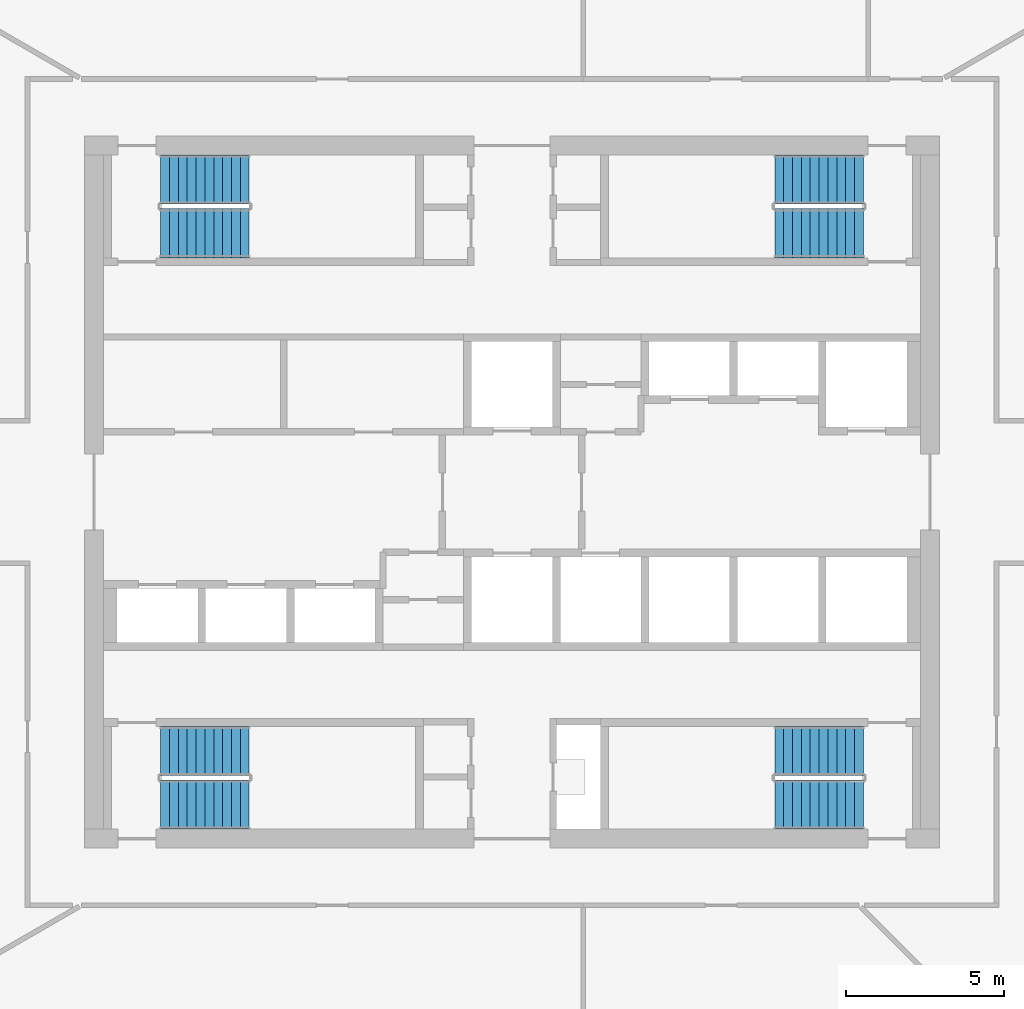
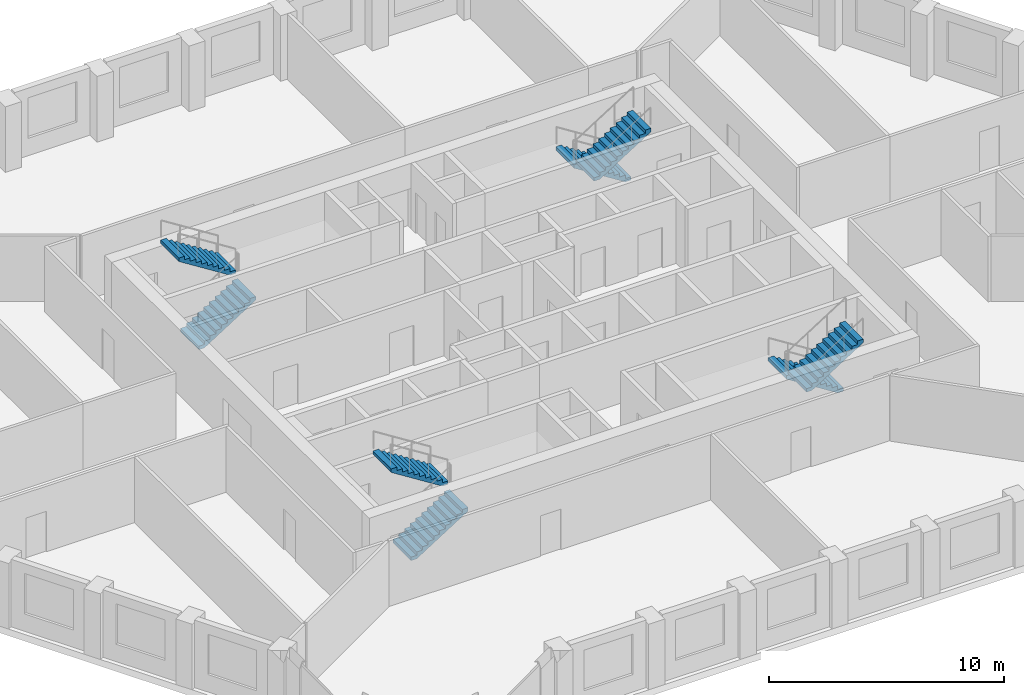
# One storey, part 7 of 8: 8 stair flights, 4 elements without a shape of their own.
"""IFC4 building model written with IfcOpenShell, lengths in metres."""

from ifc_helpers import new_model, si_unit, direction, frame, origin, place, context, subcontext, project, spatial, polyline, outline, extrude, material, type_object, element, aggregate, save


model = new_model("IFC4")

# Units and contexts
model_context = context("Model", 3, precision=1e-05, world=origin(), true_north=direction((0.0, 1.0)))
body_context = subcontext(model_context, "Body", "Model", "MODEL_VIEW")
ifc_project = project(units=[si_unit("LENGTHUNIT", "METRE"), si_unit("AREAUNIT", "SQUARE_METRE"), si_unit("VOLUMEUNIT", "CUBIC_METRE"), si_unit("PLANEANGLEUNIT", "RADIAN"), si_unit("MASSUNIT", "GRAM", prefix="KILO")], contexts=[model_context])

# Site, building, storey
site_placement = place(None, origin())
site = spatial("IfcSite", under=ifc_project, at=site_placement, CompositionType="ELEMENT")
building_placement = place(site_placement, origin())
building = spatial("IfcBuilding", under=site, at=building_placement, Name="Dhurran Vertical Campus", CompositionType="ELEMENT")
storey_placement = place(building_placement, frame((0.0, 0.0, 226.800048828125)))
storey = spatial("IfcBuildingStorey", under=building, at=storey_placement, Name="L56", CompositionType="ELEMENT", Elevation=226.800048828125)

# Stair, stair flights
ifc_material_1 = material(Name="Concrete C40/50", Category="concrete")
stair_type = type_object("IfcStairType", Name="co-ST-CORE", PredefinedType="HALF_TURN_STAIR", material=ifc_material_1)
stair_1_placement = place(storey_placement, origin())
stair_1 = element("IfcStair", 1, at=stair_1_placement, inside=storey, type_object=stair_type, Name="L56 Protected exit stair ST1", PredefinedType="HALF_TURN_STAIR")
ifc_material_2 = material(Name="Concrete C40/50", Category="concrete")
stair_flight_type = type_object("IfcStairFlightType", Name="co-SFL-RC", PredefinedType="STRAIGHT", material=ifc_material_2)
stair_flight_1_placement = place(storey_placement, frame((-11.10009765625, 8.175048828125, 0.0), z_axis=(0.0, 0.0, 1.0), x_axis=(1.0, 0.0, 0.0)))
stair_flight_1 = element("IfcStairFlight", 2, at=stair_flight_1_placement, type_object=stair_flight_type, Name="ST1 flight 1", NumberOfRisers=11, NumberOfTreads=10, PredefinedType="STRAIGHT", RiserHeight=0.177272727, TreadLength=0.28, context=body_context, shape_type="SweptSolid", body=[
    extrude(outline(polyline([(0.0, 0.0), (0.0, 0.17724609375), (0.280029296875, 0.17724609375), (0.280029296875, 0.3544921875), (0.56005859375, 0.3544921875), (0.56005859375, 0.53173828125), (0.840087890625, 0.53173828125), (0.840087890625, 0.708984375), (1.1201171875, 0.708984375), (1.1201171875, 0.886474609375), (1.39990234375, 0.886474609375), (1.39990234375, 1.063720703125), (1.679931640625, 1.063720703125), (1.679931640625, 1.240966796875), (1.9599609375, 1.240966796875), (1.9599609375, 1.418212890625), (2.239990234375, 1.418212890625), (2.239990234375, 1.595458984375), (2.52001953125, 1.595458984375), (2.52001953125, 1.772705078125), (2.800048828125, 1.772705078125), (2.800048828125, 1.949951171875), (2.800048828125, 1.59521484375), (0.2802734375, 0.0), (0.0, 0.0)])), frame((0.0, 0.77490234375, 0.0), z_axis=(0.0, -1.0, 0.0), x_axis=(1.0, 0.0, 0.0)), (0.0, 0.0, 1.0), 1.550048828125),
])
stair_flight_2_placement = place(storey_placement, frame((-8.300048828125, 9.875, 1.949951171875), z_axis=(0.0, 0.0, 1.0), x_axis=(-1.0, 0.0, 0.0)))
stair_flight_2 = element("IfcStairFlight", 3, at=stair_flight_2_placement, type_object=stair_flight_type, Name="ST1 flight 2", NumberOfRisers=11, NumberOfTreads=10, PredefinedType="STRAIGHT", RiserHeight=0.177272727, TreadLength=0.28, context=body_context, shape_type="SweptSolid", body=[
    extrude(outline(polyline([(0.0, 0.0), (0.0, 0.17724609375), (0.280029296875, 0.17724609375), (0.280029296875, 0.3544921875), (0.56005859375, 0.3544921875), (0.56005859375, 0.53173828125), (0.840087890625, 0.53173828125), (0.840087890625, 0.708984375), (1.1201171875, 0.708984375), (1.1201171875, 0.886474609375), (1.39990234375, 0.886474609375), (1.39990234375, 1.063720703125), (1.679931640625, 1.063720703125), (1.679931640625, 1.240966796875), (1.9599609375, 1.240966796875), (1.9599609375, 1.418212890625), (2.239990234375, 1.418212890625), (2.239990234375, 1.595458984375), (2.52001953125, 1.595458984375), (2.52001953125, 1.772705078125), (2.800048828125, 1.772705078125), (2.800048828125, 1.949951171875), (2.800048828125, 1.59521484375), (0.2802734375, 0.0), (0.0, 0.0)])), frame((0.0, 0.77490234375, 0.0), z_axis=(0.0, -1.0, 0.0), x_axis=(1.0, 0.0, 0.0)), (0.0, 0.0, 1.0), 1.550048828125),
])
aggregate(stair_1, [stair_flight_1, stair_flight_2])

stair_2_placement = place(storey_placement, origin())
stair_2 = element("IfcStair", 4, at=stair_2_placement, inside=storey, type_object=stair_type, Name="L56 Protected exit stair ST2", PredefinedType="HALF_TURN_STAIR")
stair_flight_3_placement = place(storey_placement, frame((11.10009765625, 9.875, 0.0), z_axis=(0.0, 0.0, 1.0), x_axis=(-1.0, 0.0, 0.0)))
stair_flight_3 = element("IfcStairFlight", 5, at=stair_flight_3_placement, type_object=stair_flight_type, Name="ST2 flight 1", NumberOfRisers=11, NumberOfTreads=10, PredefinedType="STRAIGHT", RiserHeight=0.177272727, TreadLength=0.28, context=body_context, shape_type="SweptSolid", body=[
    extrude(outline(polyline([(0.0, 0.0), (0.0, 0.17724609375), (0.280029296875, 0.17724609375), (0.280029296875, 0.3544921875), (0.56005859375, 0.3544921875), (0.56005859375, 0.53173828125), (0.840087890625, 0.53173828125), (0.840087890625, 0.708984375), (1.1201171875, 0.708984375), (1.1201171875, 0.886474609375), (1.39990234375, 0.886474609375), (1.39990234375, 1.063720703125), (1.679931640625, 1.063720703125), (1.679931640625, 1.240966796875), (1.9599609375, 1.240966796875), (1.9599609375, 1.418212890625), (2.239990234375, 1.418212890625), (2.239990234375, 1.595458984375), (2.52001953125, 1.595458984375), (2.52001953125, 1.772705078125), (2.800048828125, 1.772705078125), (2.800048828125, 1.949951171875), (2.800048828125, 1.59521484375), (0.2802734375, 0.0), (0.0, 0.0)])), frame((0.0, 0.77490234375, 0.0), z_axis=(0.0, -1.0, 0.0), x_axis=(1.0, 0.0, 0.0)), (0.0, 0.0, 1.0), 1.550048828125),
])
stair_flight_4_placement = place(storey_placement, frame((8.300048828125, 8.175048828125, 1.949951171875), z_axis=(0.0, 0.0, 1.0), x_axis=(1.0, 0.0, 0.0)))
stair_flight_4 = element("IfcStairFlight", 6, at=stair_flight_4_placement, type_object=stair_flight_type, Name="ST2 flight 2", NumberOfRisers=11, NumberOfTreads=10, PredefinedType="STRAIGHT", RiserHeight=0.177272727, TreadLength=0.28, context=body_context, shape_type="SweptSolid", body=[
    extrude(outline(polyline([(0.0, 0.0), (0.0, 0.17724609375), (0.280029296875, 0.17724609375), (0.280029296875, 0.3544921875), (0.56005859375, 0.3544921875), (0.56005859375, 0.53173828125), (0.840087890625, 0.53173828125), (0.840087890625, 0.708984375), (1.1201171875, 0.708984375), (1.1201171875, 0.886474609375), (1.39990234375, 0.886474609375), (1.39990234375, 1.063720703125), (1.679931640625, 1.063720703125), (1.679931640625, 1.240966796875), (1.9599609375, 1.240966796875), (1.9599609375, 1.418212890625), (2.239990234375, 1.418212890625), (2.239990234375, 1.595458984375), (2.52001953125, 1.595458984375), (2.52001953125, 1.772705078125), (2.800048828125, 1.772705078125), (2.800048828125, 1.949951171875), (2.800048828125, 1.59521484375), (0.2802734375, 0.0), (0.0, 0.0)])), frame((0.0, 0.77490234375, 0.0), z_axis=(0.0, -1.0, 0.0), x_axis=(1.0, 0.0, 0.0)), (0.0, 0.0, 1.0), 1.550048828125),
])
aggregate(stair_2, [stair_flight_3, stair_flight_4])

stair_3_placement = place(storey_placement, origin())
stair_3 = element("IfcStair", 7, at=stair_3_placement, inside=storey, type_object=stair_type, Name="L56 Protected exit stair ST3", PredefinedType="HALF_TURN_STAIR")
stair_flight_5_placement = place(storey_placement, frame((-11.10009765625, -9.875, 0.0), z_axis=(0.0, 0.0, 1.0), x_axis=(1.0, 0.0, 0.0)))
stair_flight_5 = element("IfcStairFlight", 8, at=stair_flight_5_placement, type_object=stair_flight_type, Name="ST3 flight 1", NumberOfRisers=11, NumberOfTreads=10, PredefinedType="STRAIGHT", RiserHeight=0.177272727, TreadLength=0.28, context=body_context, shape_type="SweptSolid", body=[
    extrude(outline(polyline([(0.0, 0.0), (0.0, 0.17724609375), (0.280029296875, 0.17724609375), (0.280029296875, 0.3544921875), (0.56005859375, 0.3544921875), (0.56005859375, 0.53173828125), (0.840087890625, 0.53173828125), (0.840087890625, 0.708984375), (1.1201171875, 0.708984375), (1.1201171875, 0.886474609375), (1.39990234375, 0.886474609375), (1.39990234375, 1.063720703125), (1.679931640625, 1.063720703125), (1.679931640625, 1.240966796875), (1.9599609375, 1.240966796875), (1.9599609375, 1.418212890625), (2.239990234375, 1.418212890625), (2.239990234375, 1.595458984375), (2.52001953125, 1.595458984375), (2.52001953125, 1.772705078125), (2.800048828125, 1.772705078125), (2.800048828125, 1.949951171875), (2.800048828125, 1.59521484375), (0.2802734375, 0.0), (0.0, 0.0)])), frame((0.0, 0.77490234375, 0.0), z_axis=(0.0, -1.0, 0.0), x_axis=(1.0, 0.0, 0.0)), (0.0, 0.0, 1.0), 1.550048828125),
])
stair_flight_6_placement = place(storey_placement, frame((-8.300048828125, -8.175048828125, 1.949951171875), z_axis=(0.0, 0.0, 1.0), x_axis=(-1.0, 0.0, 0.0)))
stair_flight_6 = element("IfcStairFlight", 9, at=stair_flight_6_placement, type_object=stair_flight_type, Name="ST3 flight 2", NumberOfRisers=11, NumberOfTreads=10, PredefinedType="STRAIGHT", RiserHeight=0.177272727, TreadLength=0.28, context=body_context, shape_type="SweptSolid", body=[
    extrude(outline(polyline([(0.0, 0.0), (0.0, 0.17724609375), (0.280029296875, 0.17724609375), (0.280029296875, 0.3544921875), (0.56005859375, 0.3544921875), (0.56005859375, 0.53173828125), (0.840087890625, 0.53173828125), (0.840087890625, 0.708984375), (1.1201171875, 0.708984375), (1.1201171875, 0.886474609375), (1.39990234375, 0.886474609375), (1.39990234375, 1.063720703125), (1.679931640625, 1.063720703125), (1.679931640625, 1.240966796875), (1.9599609375, 1.240966796875), (1.9599609375, 1.418212890625), (2.239990234375, 1.418212890625), (2.239990234375, 1.595458984375), (2.52001953125, 1.595458984375), (2.52001953125, 1.772705078125), (2.800048828125, 1.772705078125), (2.800048828125, 1.949951171875), (2.800048828125, 1.59521484375), (0.2802734375, 0.0), (0.0, 0.0)])), frame((0.0, 0.77490234375, 0.0), z_axis=(0.0, -1.0, 0.0), x_axis=(1.0, 0.0, 0.0)), (0.0, 0.0, 1.0), 1.550048828125),
])
aggregate(stair_3, [stair_flight_5, stair_flight_6])

stair_4_placement = place(storey_placement, origin())
stair_4 = element("IfcStair", 10, at=stair_4_placement, inside=storey, type_object=stair_type, Name="L56 Protected exit stair ST4", PredefinedType="HALF_TURN_STAIR")
stair_flight_7_placement = place(storey_placement, frame((11.10009765625, -8.175048828125, 0.0), z_axis=(0.0, 0.0, 1.0), x_axis=(-1.0, 0.0, 0.0)))
stair_flight_7 = element("IfcStairFlight", 11, at=stair_flight_7_placement, type_object=stair_flight_type, Name="ST4 flight 1", NumberOfRisers=11, NumberOfTreads=10, PredefinedType="STRAIGHT", RiserHeight=0.177272727, TreadLength=0.28, context=body_context, shape_type="SweptSolid", body=[
    extrude(outline(polyline([(0.0, 0.0), (0.0, 0.17724609375), (0.280029296875, 0.17724609375), (0.280029296875, 0.3544921875), (0.56005859375, 0.3544921875), (0.56005859375, 0.53173828125), (0.840087890625, 0.53173828125), (0.840087890625, 0.708984375), (1.1201171875, 0.708984375), (1.1201171875, 0.886474609375), (1.39990234375, 0.886474609375), (1.39990234375, 1.063720703125), (1.679931640625, 1.063720703125), (1.679931640625, 1.240966796875), (1.9599609375, 1.240966796875), (1.9599609375, 1.418212890625), (2.239990234375, 1.418212890625), (2.239990234375, 1.595458984375), (2.52001953125, 1.595458984375), (2.52001953125, 1.772705078125), (2.800048828125, 1.772705078125), (2.800048828125, 1.949951171875), (2.800048828125, 1.59521484375), (0.2802734375, 0.0), (0.0, 0.0)])), frame((0.0, 0.77490234375, 0.0), z_axis=(0.0, -1.0, 0.0), x_axis=(1.0, 0.0, 0.0)), (0.0, 0.0, 1.0), 1.550048828125),
])
stair_flight_8_placement = place(storey_placement, frame((8.300048828125, -9.875, 1.949951171875), z_axis=(0.0, 0.0, 1.0), x_axis=(1.0, 0.0, 0.0)))
stair_flight_8 = element("IfcStairFlight", 12, at=stair_flight_8_placement, type_object=stair_flight_type, Name="ST4 flight 2", NumberOfRisers=11, NumberOfTreads=10, PredefinedType="STRAIGHT", RiserHeight=0.177272727, TreadLength=0.28, context=body_context, shape_type="SweptSolid", body=[
    extrude(outline(polyline([(0.0, 0.0), (0.0, 0.17724609375), (0.280029296875, 0.17724609375), (0.280029296875, 0.3544921875), (0.56005859375, 0.3544921875), (0.56005859375, 0.53173828125), (0.840087890625, 0.53173828125), (0.840087890625, 0.708984375), (1.1201171875, 0.708984375), (1.1201171875, 0.886474609375), (1.39990234375, 0.886474609375), (1.39990234375, 1.063720703125), (1.679931640625, 1.063720703125), (1.679931640625, 1.240966796875), (1.9599609375, 1.240966796875), (1.9599609375, 1.418212890625), (2.239990234375, 1.418212890625), (2.239990234375, 1.595458984375), (2.52001953125, 1.595458984375), (2.52001953125, 1.772705078125), (2.800048828125, 1.772705078125), (2.800048828125, 1.949951171875), (2.800048828125, 1.59521484375), (0.2802734375, 0.0), (0.0, 0.0)])), frame((0.0, 0.77490234375, 0.0), z_axis=(0.0, -1.0, 0.0), x_axis=(1.0, 0.0, 0.0)), (0.0, 0.0, 1.0), 1.550048828125),
])
aggregate(stair_4, [stair_flight_7, stair_flight_8])

save(model, "model.ifc")
